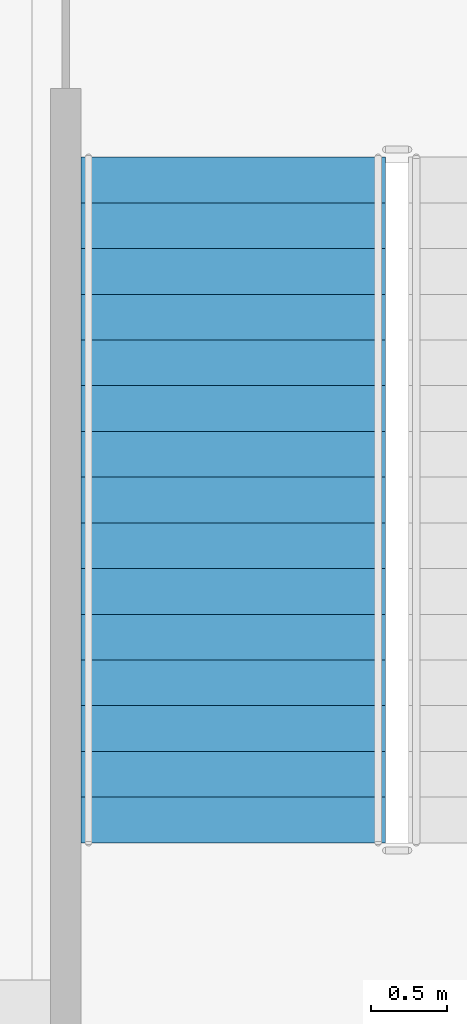
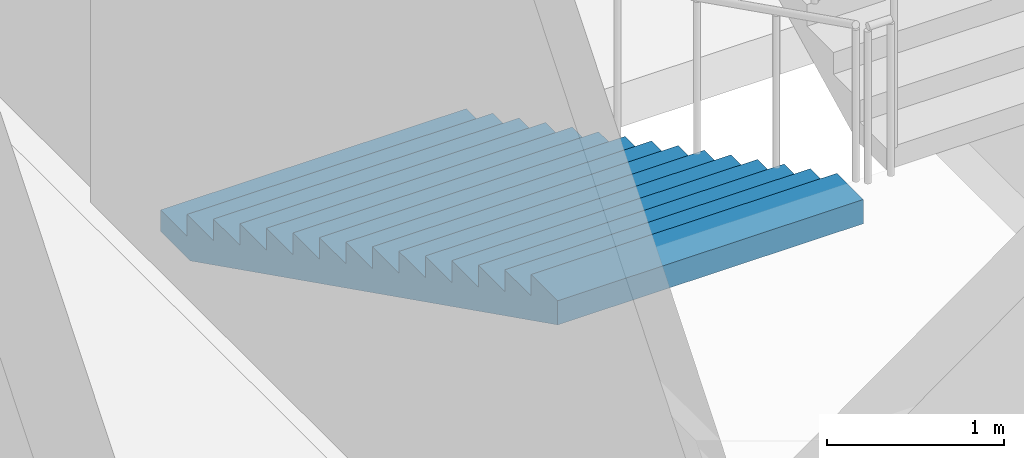
# One storey, part 64 of 91: 1 stair flight, 1 element without a shape of its own.
"""IFC4 building model written with IfcOpenShell, lengths in metres."""

from ifc_helpers import new_model, si_unit, direction, frame, origin, place, context, subcontext, project, spatial, faceted_brep, material, type_object, element, aggregate, save


model = new_model("IFC4")

# Units and contexts
model_context = context("Model", 3, precision=1e-05, world=origin(), true_north=direction((0.0, 1.0)))
body_context = subcontext(model_context, "Body", "Model", "MODEL_VIEW")
ifc_project = project(units=[si_unit("LENGTHUNIT", "METRE"), si_unit("AREAUNIT", "SQUARE_METRE"), si_unit("VOLUMEUNIT", "CUBIC_METRE"), si_unit("PLANEANGLEUNIT", "RADIAN"), si_unit("MASSUNIT", "GRAM", prefix="KILO")], contexts=[model_context])

# Site, building, storey
site_placement = place(None, origin())
site = spatial("IfcSite", under=ifc_project, at=site_placement, CompositionType="ELEMENT")
building_placement = place(site_placement, origin())
building = spatial("IfcBuilding", under=site, at=building_placement, Name="Kiln Court Media Centre", CompositionType="ELEMENT")
storey_placement = place(building_placement, frame((0.0, 0.0, 5.39990234375)))
storey = spatial("IfcBuildingStorey", under=building, at=storey_placement, Name="L01", CompositionType="ELEMENT", Elevation=5.39990234375)

# Stair, stair flight
ifc_material_1 = material(Name="Concrete C40/50", Category="concrete")
stair_type = type_object("IfcStairType", Name="Concrete C40/50 dog-leg stair 2000 wide, 150 riser", PredefinedType="HALF_TURN_STAIR", material=ifc_material_1)
stair_placement = place(storey_placement, origin())
stair = element("IfcStair", 1, at=stair_placement, inside=storey, type_object=stair_type, Name="ST-15 L01", PredefinedType="HALF_TURN_STAIR")
ifc_material_2 = material(Name="Concrete C40/50", Category="concrete")
stair_flight_type = type_object("IfcStairFlightType", Name="Concrete C40/50 stair flight 2000 wide, 150 riser, 300 going", PredefinedType="STRAIGHT", material=ifc_material_2)
stair_flight_placement = place(storey_placement, frame((164.39990234375, 64.39990234375, 0.0), z_axis=(0.0, 0.0, 1.0), x_axis=(0.0, -1.0, 0.0)))
stair_flight = element("IfcStairFlight", 2, at=stair_flight_placement, type_object=stair_flight_type, Name="L01-ST-5014 flight 5028", NumberOfRisers=16, NumberOfTreads=15, PredefinedType="STRAIGHT", RiserHeight=0.15, TreadLength=0.3, context=body_context, shape_type="Brep", body=[
    faceted_brep([(0.335205078125, -1.0, 0.0), (4.5, -1.0, 2.08251953125), (4.5, -1.0, 2.25), (4.199951171875, -1.0, 2.25), (4.199951171875, -1.0, 2.10009765625), (3.89990234375, -1.0, 2.10009765625), (3.89990234375, -1.0, 1.949951171875), (3.60009765625, -1.0, 1.949951171875), (3.60009765625, -1.0, 1.800048828125), (3.300048828125, -1.0, 1.800048828125), (3.300048828125, -1.0, 1.64990234375), (3.0, -1.0, 1.64990234375), (3.0, -1.0, 1.5), (2.699951171875, -1.0, 1.5), (2.699951171875, -1.0, 1.35009765625), (2.39990234375, -1.0, 1.35009765625), (2.39990234375, -1.0, 1.199951171875), (2.10009765625, -1.0, 1.199951171875), (2.10009765625, -1.0, 1.050048828125), (1.800048828125, -1.0, 1.050048828125), (1.800048828125, -1.0, 0.89990234375), (1.5, -1.0, 0.89990234375), (1.5, -1.0, 0.75), (1.199951171875, -1.0, 0.75), (1.199951171875, -1.0, 0.60009765625), (0.89990234375, -1.0, 0.60009765625), (0.89990234375, -1.0, 0.449951171875), (0.60009765625, -1.0, 0.449951171875), (0.60009765625, -1.0, 0.300048828125), (0.300048828125, -1.0, 0.300048828125), (0.300048828125, -1.0, 0.14990234375), (0.0, -1.0, 0.14990234375), (0.0, -1.0, 0.0), (0.0, 1.0, 0.0), (0.0, 1.0, 0.14990234375), (0.300048828125, 1.0, 0.14990234375), (0.300048828125, 1.0, 0.300048828125), (0.60009765625, 1.0, 0.300048828125), (0.60009765625, 1.0, 0.449951171875), (0.89990234375, 1.0, 0.449951171875), (0.89990234375, 1.0, 0.60009765625), (1.199951171875, 1.0, 0.60009765625), (1.199951171875, 1.0, 0.75), (1.5, 1.0, 0.75), (1.5, 1.0, 0.89990234375), (1.800048828125, 1.0, 0.89990234375), (1.800048828125, 1.0, 1.050048828125), (2.10009765625, 1.0, 1.050048828125), (2.10009765625, 1.0, 1.199951171875), (2.39990234375, 1.0, 1.199951171875), (2.39990234375, 1.0, 1.35009765625), (2.699951171875, 1.0, 1.35009765625), (2.699951171875, 1.0, 1.5), (3.0, 1.0, 1.5), (3.0, 1.0, 1.64990234375), (3.300048828125, 1.0, 1.64990234375), (3.300048828125, 1.0, 1.800048828125), (3.60009765625, 1.0, 1.800048828125), (3.60009765625, 1.0, 1.949951171875), (3.89990234375, 1.0, 1.949951171875), (3.89990234375, 1.0, 2.10009765625), (4.199951171875, 1.0, 2.10009765625), (4.199951171875, 1.0, 2.25), (4.5, 1.0, 2.25), (4.5, 1.0, 2.08251953125), (0.335205078125, 1.0, 0.0), (4.5, 0.10009765625, 2.08251953125), (0.335205078125, 0.10009765625, 0.0), (4.5, 0.080078125, 2.08251953125), (0.335205078125, 0.080078125, 0.0), (4.5, 0.06005859375, 2.08251953125), (0.335205078125, 0.06005859375, 0.0), (4.5, 0.0400390625, 2.08251953125), (0.335205078125, 0.0400390625, 0.0), (4.5, 0.02001953125, 2.08251953125), (0.335205078125, 0.02001953125, 0.0), (4.5, 0.0, 2.08251953125), (0.335205078125, 0.0, 0.0), (4.5, -0.02001953125, 2.08251953125), (0.335205078125, -0.02001953125, 0.0), (4.5, -0.0400390625, 2.08251953125), (0.335205078125, -0.0400390625, 0.0), (4.5, -0.06005859375, 2.08251953125), (0.335205078125, -0.06005859375, 0.0), (4.5, -0.080078125, 2.08251953125), (0.335205078125, -0.080078125, 0.0), (4.5, -0.10009765625, 2.08251953125), (0.335205078125, -0.10009765625, 0.0), (4.5, 0.10009765625, 2.25), (4.5, 0.080078125, 2.25), (4.5, 0.06005859375, 2.25), (4.5, 0.0400390625, 2.25), (4.5, 0.02001953125, 2.25), (4.5, 0.0, 2.25), (4.5, -0.02001953125, 2.25), (4.5, -0.0400390625, 2.25), (4.5, -0.06005859375, 2.25), (4.5, -0.080078125, 2.25), (4.5, -0.10009765625, 2.25), (4.199951171875, 0.10009765625, 2.25), (4.199951171875, 0.080078125, 2.25), (4.199951171875, 0.06005859375, 2.25), (4.199951171875, 0.0400390625, 2.25), (4.199951171875, 0.02001953125, 2.25), (4.199951171875, 0.0, 2.25), (4.199951171875, -0.02001953125, 2.25), (4.199951171875, -0.0400390625, 2.25), (4.199951171875, -0.06005859375, 2.25), (4.199951171875, -0.080078125, 2.25), (4.199951171875, -0.10009765625, 2.25), (4.199951171875, 0.10009765625, 2.10009765625), (4.199951171875, 0.080078125, 2.10009765625), (4.199951171875, 0.06005859375, 2.10009765625), (4.199951171875, 0.0400390625, 2.10009765625), (4.199951171875, 0.02001953125, 2.10009765625), (4.199951171875, 0.0, 2.10009765625), (4.199951171875, -0.02001953125, 2.10009765625), (4.199951171875, -0.0400390625, 2.10009765625), (4.199951171875, -0.06005859375, 2.10009765625), (4.199951171875, -0.080078125, 2.10009765625), (4.199951171875, -0.10009765625, 2.10009765625), (3.89990234375, 0.10009765625, 2.10009765625), (3.89990234375, 0.080078125, 2.10009765625), (3.89990234375, 0.06005859375, 2.10009765625), (3.89990234375, 0.0400390625, 2.10009765625), (3.89990234375, 0.02001953125, 2.10009765625), (3.89990234375, 0.0, 2.10009765625), (3.89990234375, -0.02001953125, 2.10009765625), (3.89990234375, -0.0400390625, 2.10009765625), (3.89990234375, -0.06005859375, 2.10009765625), (3.89990234375, -0.080078125, 2.10009765625), (3.89990234375, -0.10009765625, 2.10009765625), (3.89990234375, 0.10009765625, 1.949951171875), (3.89990234375, 0.080078125, 1.949951171875), (3.89990234375, 0.06005859375, 1.949951171875), (3.89990234375, 0.0400390625, 1.949951171875), (3.89990234375, 0.02001953125, 1.949951171875), (3.89990234375, 0.0, 1.949951171875), (3.89990234375, -0.02001953125, 1.949951171875), (3.89990234375, -0.0400390625, 1.949951171875), (3.89990234375, -0.06005859375, 1.949951171875), (3.89990234375, -0.080078125, 1.949951171875), (3.89990234375, -0.10009765625, 1.949951171875), (3.60009765625, 0.10009765625, 1.949951171875), (3.60009765625, 0.080078125, 1.949951171875), (3.60009765625, 0.06005859375, 1.949951171875), (3.60009765625, 0.0400390625, 1.949951171875), (3.60009765625, 0.02001953125, 1.949951171875), (3.60009765625, 0.0, 1.949951171875), (3.60009765625, -0.02001953125, 1.949951171875), (3.60009765625, -0.0400390625, 1.949951171875), (3.60009765625, -0.06005859375, 1.949951171875), (3.60009765625, -0.080078125, 1.949951171875), (3.60009765625, -0.10009765625, 1.949951171875), (3.60009765625, 0.10009765625, 1.800048828125), (3.60009765625, 0.080078125, 1.800048828125), (3.60009765625, 0.06005859375, 1.800048828125), (3.60009765625, 0.0400390625, 1.800048828125), (3.60009765625, 0.02001953125, 1.800048828125), (3.60009765625, 0.0, 1.800048828125), (3.60009765625, -0.02001953125, 1.800048828125), (3.60009765625, -0.0400390625, 1.800048828125), (3.60009765625, -0.06005859375, 1.800048828125), (3.60009765625, -0.080078125, 1.800048828125), (3.60009765625, -0.10009765625, 1.800048828125), (3.300048828125, 0.10009765625, 1.800048828125), (3.300048828125, 0.080078125, 1.800048828125), (3.300048828125, 0.06005859375, 1.800048828125), (3.300048828125, 0.0400390625, 1.800048828125), (3.300048828125, 0.02001953125, 1.800048828125), (3.300048828125, 0.0, 1.800048828125), (3.300048828125, -0.02001953125, 1.800048828125), (3.300048828125, -0.0400390625, 1.800048828125), (3.300048828125, -0.06005859375, 1.800048828125), (3.300048828125, -0.080078125, 1.800048828125), (3.300048828125, -0.10009765625, 1.800048828125), (3.300048828125, 0.10009765625, 1.64990234375), (3.300048828125, 0.080078125, 1.64990234375), (3.300048828125, 0.06005859375, 1.64990234375), (3.300048828125, 0.0400390625, 1.64990234375), (3.300048828125, 0.02001953125, 1.64990234375), (3.300048828125, 0.0, 1.64990234375), (3.300048828125, -0.02001953125, 1.64990234375), (3.300048828125, -0.0400390625, 1.64990234375), (3.300048828125, -0.06005859375, 1.64990234375), (3.300048828125, -0.080078125, 1.64990234375), (3.300048828125, -0.10009765625, 1.64990234375), (3.0, 0.10009765625, 1.64990234375), (3.0, 0.080078125, 1.64990234375), (3.0, 0.06005859375, 1.64990234375), (3.0, 0.0400390625, 1.64990234375), (3.0, 0.02001953125, 1.64990234375), (3.0, 0.0, 1.64990234375), (3.0, -0.02001953125, 1.64990234375), (3.0, -0.0400390625, 1.64990234375), (3.0, -0.06005859375, 1.64990234375), (3.0, -0.080078125, 1.64990234375), (3.0, -0.10009765625, 1.64990234375), (3.0, 0.10009765625, 1.5), (3.0, 0.080078125, 1.5), (3.0, 0.06005859375, 1.5), (3.0, 0.0400390625, 1.5), (3.0, 0.02001953125, 1.5), (3.0, 0.0, 1.5), (3.0, -0.02001953125, 1.5), (3.0, -0.0400390625, 1.5), (3.0, -0.06005859375, 1.5), (3.0, -0.080078125, 1.5), (3.0, -0.10009765625, 1.5), (2.699951171875, 0.10009765625, 1.5), (2.699951171875, 0.080078125, 1.5), (2.699951171875, 0.06005859375, 1.5), (2.699951171875, 0.0400390625, 1.5), (2.699951171875, 0.02001953125, 1.5), (2.699951171875, 0.0, 1.5), (2.699951171875, -0.02001953125, 1.5), (2.699951171875, -0.0400390625, 1.5), (2.699951171875, -0.06005859375, 1.5), (2.699951171875, -0.080078125, 1.5), (2.699951171875, -0.10009765625, 1.5), (2.699951171875, 0.10009765625, 1.35009765625), (2.699951171875, 0.080078125, 1.35009765625), (2.699951171875, 0.06005859375, 1.35009765625), (2.699951171875, 0.0400390625, 1.35009765625), (2.699951171875, 0.02001953125, 1.35009765625), (2.699951171875, 0.0, 1.35009765625), (2.699951171875, -0.02001953125, 1.35009765625), (2.699951171875, -0.0400390625, 1.35009765625), (2.699951171875, -0.06005859375, 1.35009765625), (2.699951171875, -0.080078125, 1.35009765625), (2.699951171875, -0.10009765625, 1.35009765625), (2.39990234375, 0.10009765625, 1.35009765625), (2.39990234375, 0.080078125, 1.35009765625), (2.39990234375, 0.06005859375, 1.35009765625), (2.39990234375, 0.0400390625, 1.35009765625), (2.39990234375, 0.02001953125, 1.35009765625), (2.39990234375, 0.0, 1.35009765625), (2.39990234375, -0.02001953125, 1.35009765625), (2.39990234375, -0.0400390625, 1.35009765625), (2.39990234375, -0.06005859375, 1.35009765625), (2.39990234375, -0.080078125, 1.35009765625), (2.39990234375, -0.10009765625, 1.35009765625), (2.39990234375, 0.10009765625, 1.199951171875), (2.39990234375, 0.080078125, 1.199951171875), (2.39990234375, 0.06005859375, 1.199951171875), (2.39990234375, 0.0400390625, 1.199951171875), (2.39990234375, 0.02001953125, 1.199951171875), (2.39990234375, 0.0, 1.199951171875), (2.39990234375, -0.02001953125, 1.199951171875), (2.39990234375, -0.0400390625, 1.199951171875), (2.39990234375, -0.06005859375, 1.199951171875), (2.39990234375, -0.080078125, 1.199951171875), (2.39990234375, -0.10009765625, 1.199951171875), (2.10009765625, 0.10009765625, 1.199951171875), (2.10009765625, 0.080078125, 1.199951171875), (2.10009765625, 0.06005859375, 1.199951171875), (2.10009765625, 0.0400390625, 1.199951171875), (2.10009765625, 0.02001953125, 1.199951171875), (2.10009765625, 0.0, 1.199951171875), (2.10009765625, -0.02001953125, 1.199951171875), (2.10009765625, -0.0400390625, 1.199951171875), (2.10009765625, -0.06005859375, 1.199951171875), (2.10009765625, -0.080078125, 1.199951171875), (2.10009765625, -0.10009765625, 1.199951171875), (2.10009765625, 0.10009765625, 1.050048828125), (2.10009765625, 0.080078125, 1.050048828125), (2.10009765625, 0.06005859375, 1.050048828125), (2.10009765625, 0.0400390625, 1.050048828125), (2.10009765625, 0.02001953125, 1.050048828125), (2.10009765625, 0.0, 1.050048828125), (2.10009765625, -0.02001953125, 1.050048828125), (2.10009765625, -0.0400390625, 1.050048828125), (2.10009765625, -0.06005859375, 1.050048828125), (2.10009765625, -0.080078125, 1.050048828125), (2.10009765625, -0.10009765625, 1.050048828125), (1.800048828125, 0.10009765625, 1.050048828125), (1.800048828125, 0.080078125, 1.050048828125), (1.800048828125, 0.06005859375, 1.050048828125), (1.800048828125, 0.0400390625, 1.050048828125), (1.800048828125, 0.02001953125, 1.050048828125), (1.800048828125, 0.0, 1.050048828125), (1.800048828125, -0.02001953125, 1.050048828125), (1.800048828125, -0.0400390625, 1.050048828125), (1.800048828125, -0.06005859375, 1.050048828125), (1.800048828125, -0.080078125, 1.050048828125), (1.800048828125, -0.10009765625, 1.050048828125), (1.800048828125, 0.10009765625, 0.89990234375), (1.800048828125, 0.080078125, 0.89990234375), (1.800048828125, 0.06005859375, 0.89990234375), (1.800048828125, 0.0400390625, 0.89990234375), (1.800048828125, 0.02001953125, 0.89990234375), (1.800048828125, 0.0, 0.89990234375), (1.800048828125, -0.02001953125, 0.89990234375), (1.800048828125, -0.0400390625, 0.89990234375), (1.800048828125, -0.06005859375, 0.89990234375), (1.800048828125, -0.080078125, 0.89990234375), (1.800048828125, -0.10009765625, 0.89990234375), (1.5, 0.10009765625, 0.89990234375), (1.5, 0.080078125, 0.89990234375), (1.5, 0.06005859375, 0.89990234375), (1.5, 0.0400390625, 0.89990234375), (1.5, 0.02001953125, 0.89990234375), (1.5, 0.0, 0.89990234375), (1.5, -0.02001953125, 0.89990234375), (1.5, -0.0400390625, 0.89990234375), (1.5, -0.06005859375, 0.89990234375), (1.5, -0.080078125, 0.89990234375), (1.5, -0.10009765625, 0.89990234375), (1.5, 0.10009765625, 0.75), (1.5, 0.080078125, 0.75), (1.5, 0.06005859375, 0.75), (1.5, 0.0400390625, 0.75), (1.5, 0.02001953125, 0.75), (1.5, 0.0, 0.75), (1.5, -0.02001953125, 0.75), (1.5, -0.0400390625, 0.75), (1.5, -0.06005859375, 0.75), (1.5, -0.080078125, 0.75), (1.5, -0.10009765625, 0.75), (1.199951171875, 0.10009765625, 0.75), (1.199951171875, 0.080078125, 0.75), (1.199951171875, 0.06005859375, 0.75), (1.199951171875, 0.0400390625, 0.75), (1.199951171875, 0.02001953125, 0.75), (1.199951171875, 0.0, 0.75), (1.199951171875, -0.02001953125, 0.75), (1.199951171875, -0.0400390625, 0.75), (1.199951171875, -0.06005859375, 0.75), (1.199951171875, -0.080078125, 0.75), (1.199951171875, -0.10009765625, 0.75), (1.199951171875, 0.10009765625, 0.60009765625), (1.199951171875, 0.080078125, 0.60009765625), (1.199951171875, 0.06005859375, 0.60009765625), (1.199951171875, 0.0400390625, 0.60009765625), (1.199951171875, 0.02001953125, 0.60009765625), (1.199951171875, 0.0, 0.60009765625), (1.199951171875, -0.02001953125, 0.60009765625), (1.199951171875, -0.0400390625, 0.60009765625), (1.199951171875, -0.06005859375, 0.60009765625), (1.199951171875, -0.080078125, 0.60009765625), (1.199951171875, -0.10009765625, 0.60009765625), (0.89990234375, 0.10009765625, 0.60009765625), (0.89990234375, 0.080078125, 0.60009765625), (0.89990234375, 0.06005859375, 0.60009765625), (0.89990234375, 0.0400390625, 0.60009765625), (0.89990234375, 0.02001953125, 0.60009765625), (0.89990234375, 0.0, 0.60009765625), (0.89990234375, -0.02001953125, 0.60009765625), (0.89990234375, -0.0400390625, 0.60009765625), (0.89990234375, -0.06005859375, 0.60009765625), (0.89990234375, -0.080078125, 0.60009765625), (0.89990234375, -0.10009765625, 0.60009765625), (0.89990234375, 0.10009765625, 0.449951171875), (0.89990234375, 0.080078125, 0.449951171875), (0.89990234375, 0.06005859375, 0.449951171875), (0.89990234375, 0.0400390625, 0.449951171875), (0.89990234375, 0.02001953125, 0.449951171875), (0.89990234375, 0.0, 0.449951171875), (0.89990234375, -0.02001953125, 0.449951171875), (0.89990234375, -0.0400390625, 0.449951171875), (0.89990234375, -0.06005859375, 0.449951171875), (0.89990234375, -0.080078125, 0.449951171875), (0.89990234375, -0.10009765625, 0.449951171875), (0.60009765625, 0.10009765625, 0.449951171875), (0.60009765625, 0.080078125, 0.449951171875), (0.60009765625, 0.06005859375, 0.449951171875), (0.60009765625, 0.0400390625, 0.449951171875), (0.60009765625, 0.02001953125, 0.449951171875), (0.60009765625, 0.0, 0.449951171875), (0.60009765625, -0.02001953125, 0.449951171875), (0.60009765625, -0.0400390625, 0.449951171875), (0.60009765625, -0.06005859375, 0.449951171875), (0.60009765625, -0.080078125, 0.449951171875), (0.60009765625, -0.10009765625, 0.449951171875), (0.60009765625, 0.10009765625, 0.300048828125), (0.60009765625, 0.080078125, 0.300048828125), (0.60009765625, 0.06005859375, 0.300048828125), (0.60009765625, 0.0400390625, 0.300048828125), (0.60009765625, 0.02001953125, 0.300048828125), (0.60009765625, 0.0, 0.300048828125), (0.60009765625, -0.02001953125, 0.300048828125), (0.60009765625, -0.0400390625, 0.300048828125), (0.60009765625, -0.06005859375, 0.300048828125), (0.60009765625, -0.080078125, 0.300048828125), (0.60009765625, -0.10009765625, 0.300048828125), (0.300048828125, 0.10009765625, 0.300048828125), (0.300048828125, 0.080078125, 0.300048828125), (0.300048828125, 0.06005859375, 0.300048828125), (0.300048828125, 0.0400390625, 0.300048828125), (0.300048828125, 0.02001953125, 0.300048828125), (0.300048828125, 0.0, 0.300048828125), (0.300048828125, -0.02001953125, 0.300048828125), (0.300048828125, -0.0400390625, 0.300048828125), (0.300048828125, -0.06005859375, 0.300048828125), (0.300048828125, -0.080078125, 0.300048828125), (0.300048828125, -0.10009765625, 0.300048828125), (0.300048828125, 0.10009765625, 0.14990234375), (0.300048828125, 0.080078125, 0.14990234375), (0.300048828125, 0.06005859375, 0.14990234375), (0.300048828125, 0.0400390625, 0.14990234375), (0.300048828125, 0.02001953125, 0.14990234375), (0.300048828125, 0.0, 0.14990234375), (0.300048828125, -0.02001953125, 0.14990234375), (0.300048828125, -0.0400390625, 0.14990234375), (0.300048828125, -0.06005859375, 0.14990234375), (0.300048828125, -0.080078125, 0.14990234375), (0.300048828125, -0.10009765625, 0.14990234375), (0.0, 0.10009765625, 0.14990234375), (0.0, 0.080078125, 0.14990234375), (0.0, 0.06005859375, 0.14990234375), (0.0, 0.0400390625, 0.14990234375), (0.0, 0.02001953125, 0.14990234375), (0.0, 0.0, 0.14990234375), (0.0, -0.02001953125, 0.14990234375), (0.0, -0.0400390625, 0.14990234375), (0.0, -0.06005859375, 0.14990234375), (0.0, -0.080078125, 0.14990234375), (0.0, -0.10009765625, 0.14990234375), (0.0, 0.10009765625, 0.0), (0.0, 0.080078125, 0.0), (0.0, 0.06005859375, 0.0), (0.0, 0.0400390625, 0.0), (0.0, 0.02001953125, 0.0), (0.0, 0.0, 0.0), (0.0, -0.02001953125, 0.0), (0.0, -0.0400390625, 0.0), (0.0, -0.06005859375, 0.0), (0.0, -0.080078125, 0.0), (0.0, -0.10009765625, 0.0)], [[[0, 1, 2, 3, 4, 5, 6, 7, 8, 9, 10, 11, 12, 13, 14, 15, 16, 17, 18, 19, 20, 21, 22, 23, 24, 25, 26, 27, 28, 29, 30, 31, 32]], [[33, 34, 35, 36, 37, 38, 39, 40, 41, 42, 43, 44, 45, 46, 47, 48, 49, 50, 51, 52, 53, 54, 55, 56, 57, 58, 59, 60, 61, 62, 63, 64, 65]], [[65, 64, 66, 67]], [[67, 66, 68, 69]], [[69, 68, 70, 71]], [[71, 70, 72, 73]], [[73, 72, 74, 75]], [[75, 74, 76, 77]], [[77, 76, 78, 79]], [[79, 78, 80, 81]], [[81, 80, 82, 83]], [[83, 82, 84, 85]], [[85, 84, 86, 87]], [[87, 86, 1, 0]], [[64, 63, 88, 66]], [[66, 88, 89, 68]], [[68, 89, 90, 70]], [[70, 90, 91, 72]], [[72, 91, 92, 74]], [[74, 92, 93, 76]], [[76, 93, 94, 78]], [[78, 94, 95, 80]], [[80, 95, 96, 82]], [[82, 96, 97, 84]], [[84, 97, 98, 86]], [[86, 98, 2, 1]], [[63, 62, 99, 88]], [[88, 99, 100, 89]], [[89, 100, 101, 90]], [[90, 101, 102, 91]], [[91, 102, 103, 92]], [[92, 103, 104, 93]], [[93, 104, 105, 94]], [[94, 105, 106, 95]], [[95, 106, 107, 96]], [[96, 107, 108, 97]], [[97, 108, 109, 98]], [[98, 109, 3, 2]], [[62, 61, 110, 99]], [[99, 110, 111, 100]], [[100, 111, 112, 101]], [[101, 112, 113, 102]], [[102, 113, 114, 103]], [[103, 114, 115, 104]], [[104, 115, 116, 105]], [[105, 116, 117, 106]], [[106, 117, 118, 107]], [[107, 118, 119, 108]], [[108, 119, 120, 109]], [[109, 120, 4, 3]], [[61, 60, 121, 110]], [[110, 121, 122, 111]], [[111, 122, 123, 112]], [[112, 123, 124, 113]], [[113, 124, 125, 114]], [[114, 125, 126, 115]], [[115, 126, 127, 116]], [[116, 127, 128, 117]], [[117, 128, 129, 118]], [[118, 129, 130, 119]], [[119, 130, 131, 120]], [[120, 131, 5, 4]], [[60, 59, 132, 121]], [[121, 132, 133, 122]], [[122, 133, 134, 123]], [[123, 134, 135, 124]], [[124, 135, 136, 125]], [[125, 136, 137, 126]], [[126, 137, 138, 127]], [[127, 138, 139, 128]], [[128, 139, 140, 129]], [[129, 140, 141, 130]], [[130, 141, 142, 131]], [[131, 142, 6, 5]], [[59, 58, 143, 132]], [[132, 143, 144, 133]], [[133, 144, 145, 134]], [[134, 145, 146, 135]], [[135, 146, 147, 136]], [[136, 147, 148, 137]], [[137, 148, 149, 138]], [[138, 149, 150, 139]], [[139, 150, 151, 140]], [[140, 151, 152, 141]], [[141, 152, 153, 142]], [[142, 153, 7, 6]], [[58, 57, 154, 143]], [[143, 154, 155, 144]], [[144, 155, 156, 145]], [[145, 156, 157, 146]], [[146, 157, 158, 147]], [[147, 158, 159, 148]], [[148, 159, 160, 149]], [[149, 160, 161, 150]], [[150, 161, 162, 151]], [[151, 162, 163, 152]], [[152, 163, 164, 153]], [[153, 164, 8, 7]], [[57, 56, 165, 154]], [[154, 165, 166, 155]], [[155, 166, 167, 156]], [[156, 167, 168, 157]], [[157, 168, 169, 158]], [[158, 169, 170, 159]], [[159, 170, 171, 160]], [[160, 171, 172, 161]], [[161, 172, 173, 162]], [[162, 173, 174, 163]], [[163, 174, 175, 164]], [[164, 175, 9, 8]], [[56, 55, 176, 165]], [[165, 176, 177, 166]], [[166, 177, 178, 167]], [[167, 178, 179, 168]], [[168, 179, 180, 169]], [[169, 180, 181, 170]], [[170, 181, 182, 171]], [[171, 182, 183, 172]], [[172, 183, 184, 173]], [[173, 184, 185, 174]], [[174, 185, 186, 175]], [[175, 186, 10, 9]], [[55, 54, 187, 176]], [[176, 187, 188, 177]], [[177, 188, 189, 178]], [[178, 189, 190, 179]], [[179, 190, 191, 180]], [[180, 191, 192, 181]], [[181, 192, 193, 182]], [[182, 193, 194, 183]], [[183, 194, 195, 184]], [[184, 195, 196, 185]], [[185, 196, 197, 186]], [[186, 197, 11, 10]], [[54, 53, 198, 187]], [[187, 198, 199, 188]], [[188, 199, 200, 189]], [[189, 200, 201, 190]], [[190, 201, 202, 191]], [[191, 202, 203, 192]], [[192, 203, 204, 193]], [[193, 204, 205, 194]], [[194, 205, 206, 195]], [[195, 206, 207, 196]], [[196, 207, 208, 197]], [[197, 208, 12, 11]], [[53, 52, 209, 198]], [[198, 209, 210, 199]], [[199, 210, 211, 200]], [[200, 211, 212, 201]], [[201, 212, 213, 202]], [[202, 213, 214, 203]], [[203, 214, 215, 204]], [[204, 215, 216, 205]], [[205, 216, 217, 206]], [[206, 217, 218, 207]], [[207, 218, 219, 208]], [[208, 219, 13, 12]], [[52, 51, 220, 209]], [[209, 220, 221, 210]], [[210, 221, 222, 211]], [[211, 222, 223, 212]], [[212, 223, 224, 213]], [[213, 224, 225, 214]], [[214, 225, 226, 215]], [[215, 226, 227, 216]], [[216, 227, 228, 217]], [[217, 228, 229, 218]], [[218, 229, 230, 219]], [[219, 230, 14, 13]], [[51, 50, 231, 220]], [[220, 231, 232, 221]], [[221, 232, 233, 222]], [[222, 233, 234, 223]], [[223, 234, 235, 224]], [[224, 235, 236, 225]], [[225, 236, 237, 226]], [[226, 237, 238, 227]], [[227, 238, 239, 228]], [[228, 239, 240, 229]], [[229, 240, 241, 230]], [[230, 241, 15, 14]], [[50, 49, 242, 231]], [[231, 242, 243, 232]], [[232, 243, 244, 233]], [[233, 244, 245, 234]], [[234, 245, 246, 235]], [[235, 246, 247, 236]], [[236, 247, 248, 237]], [[237, 248, 249, 238]], [[238, 249, 250, 239]], [[239, 250, 251, 240]], [[240, 251, 252, 241]], [[241, 252, 16, 15]], [[49, 48, 253, 242]], [[242, 253, 254, 243]], [[243, 254, 255, 244]], [[244, 255, 256, 245]], [[245, 256, 257, 246]], [[246, 257, 258, 247]], [[247, 258, 259, 248]], [[248, 259, 260, 249]], [[249, 260, 261, 250]], [[250, 261, 262, 251]], [[251, 262, 263, 252]], [[252, 263, 17, 16]], [[48, 47, 264, 253]], [[253, 264, 265, 254]], [[254, 265, 266, 255]], [[255, 266, 267, 256]], [[256, 267, 268, 257]], [[257, 268, 269, 258]], [[258, 269, 270, 259]], [[259, 270, 271, 260]], [[260, 271, 272, 261]], [[261, 272, 273, 262]], [[262, 273, 274, 263]], [[263, 274, 18, 17]], [[47, 46, 275, 264]], [[264, 275, 276, 265]], [[265, 276, 277, 266]], [[266, 277, 278, 267]], [[267, 278, 279, 268]], [[268, 279, 280, 269]], [[269, 280, 281, 270]], [[270, 281, 282, 271]], [[271, 282, 283, 272]], [[272, 283, 284, 273]], [[273, 284, 285, 274]], [[274, 285, 19, 18]], [[46, 45, 286, 275]], [[275, 286, 287, 276]], [[276, 287, 288, 277]], [[277, 288, 289, 278]], [[278, 289, 290, 279]], [[279, 290, 291, 280]], [[280, 291, 292, 281]], [[281, 292, 293, 282]], [[282, 293, 294, 283]], [[283, 294, 295, 284]], [[284, 295, 296, 285]], [[285, 296, 20, 19]], [[45, 44, 297, 286]], [[286, 297, 298, 287]], [[287, 298, 299, 288]], [[288, 299, 300, 289]], [[289, 300, 301, 290]], [[290, 301, 302, 291]], [[291, 302, 303, 292]], [[292, 303, 304, 293]], [[293, 304, 305, 294]], [[294, 305, 306, 295]], [[295, 306, 307, 296]], [[296, 307, 21, 20]], [[44, 43, 308, 297]], [[297, 308, 309, 298]], [[298, 309, 310, 299]], [[299, 310, 311, 300]], [[300, 311, 312, 301]], [[301, 312, 313, 302]], [[302, 313, 314, 303]], [[303, 314, 315, 304]], [[304, 315, 316, 305]], [[305, 316, 317, 306]], [[306, 317, 318, 307]], [[307, 318, 22, 21]], [[43, 42, 319, 308]], [[308, 319, 320, 309]], [[309, 320, 321, 310]], [[310, 321, 322, 311]], [[311, 322, 323, 312]], [[312, 323, 324, 313]], [[313, 324, 325, 314]], [[314, 325, 326, 315]], [[315, 326, 327, 316]], [[316, 327, 328, 317]], [[317, 328, 329, 318]], [[318, 329, 23, 22]], [[42, 41, 330, 319]], [[319, 330, 331, 320]], [[320, 331, 332, 321]], [[321, 332, 333, 322]], [[322, 333, 334, 323]], [[323, 334, 335, 324]], [[324, 335, 336, 325]], [[325, 336, 337, 326]], [[326, 337, 338, 327]], [[327, 338, 339, 328]], [[328, 339, 340, 329]], [[329, 340, 24, 23]], [[41, 40, 341, 330]], [[330, 341, 342, 331]], [[331, 342, 343, 332]], [[332, 343, 344, 333]], [[333, 344, 345, 334]], [[334, 345, 346, 335]], [[335, 346, 347, 336]], [[336, 347, 348, 337]], [[337, 348, 349, 338]], [[338, 349, 350, 339]], [[339, 350, 351, 340]], [[340, 351, 25, 24]], [[40, 39, 352, 341]], [[341, 352, 353, 342]], [[342, 353, 354, 343]], [[343, 354, 355, 344]], [[344, 355, 356, 345]], [[345, 356, 357, 346]], [[346, 357, 358, 347]], [[347, 358, 359, 348]], [[348, 359, 360, 349]], [[349, 360, 361, 350]], [[350, 361, 362, 351]], [[351, 362, 26, 25]], [[39, 38, 363, 352]], [[352, 363, 364, 353]], [[353, 364, 365, 354]], [[354, 365, 366, 355]], [[355, 366, 367, 356]], [[356, 367, 368, 357]], [[357, 368, 369, 358]], [[358, 369, 370, 359]], [[359, 370, 371, 360]], [[360, 371, 372, 361]], [[361, 372, 373, 362]], [[362, 373, 27, 26]], [[38, 37, 374, 363]], [[363, 374, 375, 364]], [[364, 375, 376, 365]], [[365, 376, 377, 366]], [[366, 377, 378, 367]], [[367, 378, 379, 368]], [[368, 379, 380, 369]], [[369, 380, 381, 370]], [[370, 381, 382, 371]], [[371, 382, 383, 372]], [[372, 383, 384, 373]], [[373, 384, 28, 27]], [[37, 36, 385, 374]], [[374, 385, 386, 375]], [[375, 386, 387, 376]], [[376, 387, 388, 377]], [[377, 388, 389, 378]], [[378, 389, 390, 379]], [[379, 390, 391, 380]], [[380, 391, 392, 381]], [[381, 392, 393, 382]], [[382, 393, 394, 383]], [[383, 394, 395, 384]], [[384, 395, 29, 28]], [[36, 35, 396, 385]], [[385, 396, 397, 386]], [[386, 397, 398, 387]], [[387, 398, 399, 388]], [[388, 399, 400, 389]], [[389, 400, 401, 390]], [[390, 401, 402, 391]], [[391, 402, 403, 392]], [[392, 403, 404, 393]], [[393, 404, 405, 394]], [[394, 405, 406, 395]], [[395, 406, 30, 29]], [[35, 34, 407, 396]], [[396, 407, 408, 397]], [[397, 408, 409, 398]], [[398, 409, 410, 399]], [[399, 410, 411, 400]], [[400, 411, 412, 401]], [[401, 412, 413, 402]], [[402, 413, 414, 403]], [[403, 414, 415, 404]], [[404, 415, 416, 405]], [[405, 416, 417, 406]], [[406, 417, 31, 30]], [[34, 33, 418, 407]], [[407, 418, 419, 408]], [[408, 419, 420, 409]], [[409, 420, 421, 410]], [[410, 421, 422, 411]], [[411, 422, 423, 412]], [[412, 423, 424, 413]], [[413, 424, 425, 414]], [[414, 425, 426, 415]], [[415, 426, 427, 416]], [[416, 427, 428, 417]], [[417, 428, 32, 31]], [[33, 65, 67, 418]], [[418, 67, 69, 419]], [[419, 69, 71, 420]], [[420, 71, 73, 421]], [[421, 73, 75, 422]], [[422, 75, 77, 423]], [[423, 77, 79, 424]], [[424, 79, 81, 425]], [[425, 81, 83, 426]], [[426, 83, 85, 427]], [[427, 85, 87, 428]], [[428, 87, 0, 32]]]),
])
aggregate(stair, [stair_flight])

save(model, "model.ifc")
